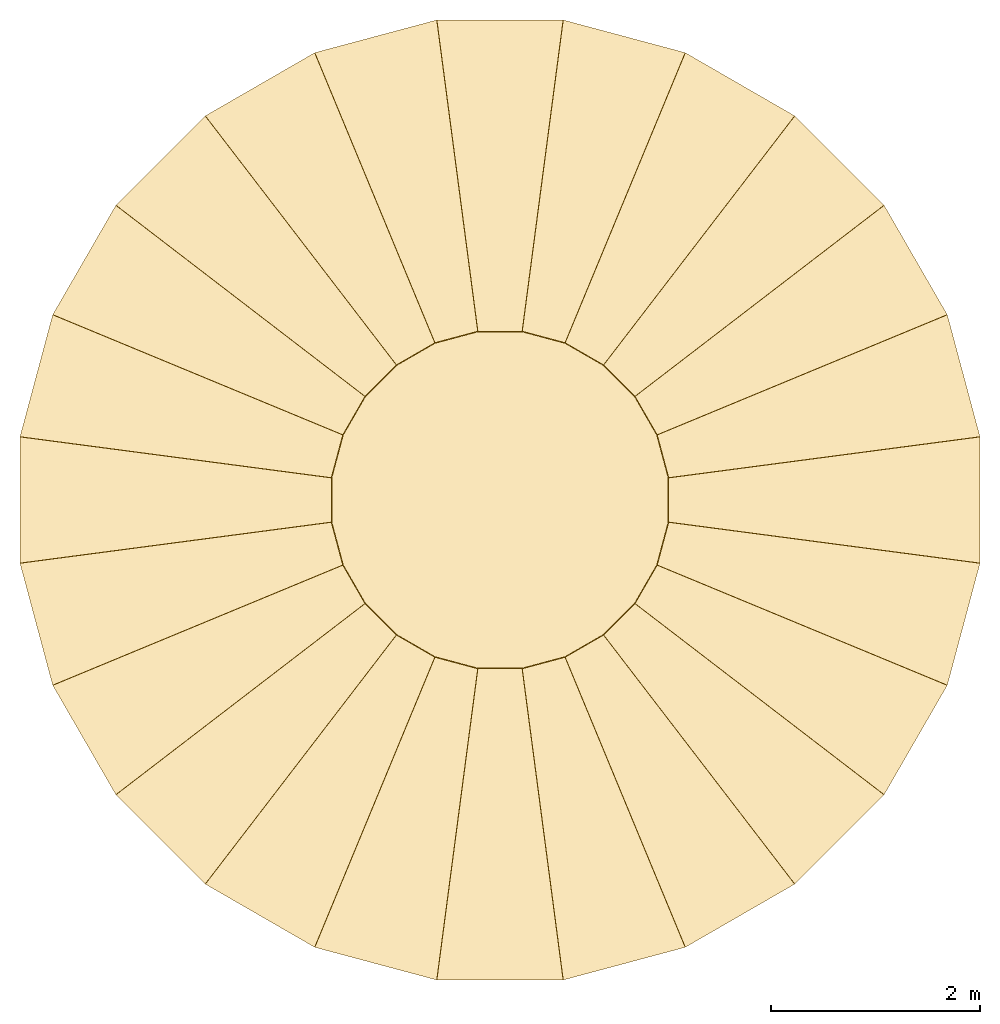
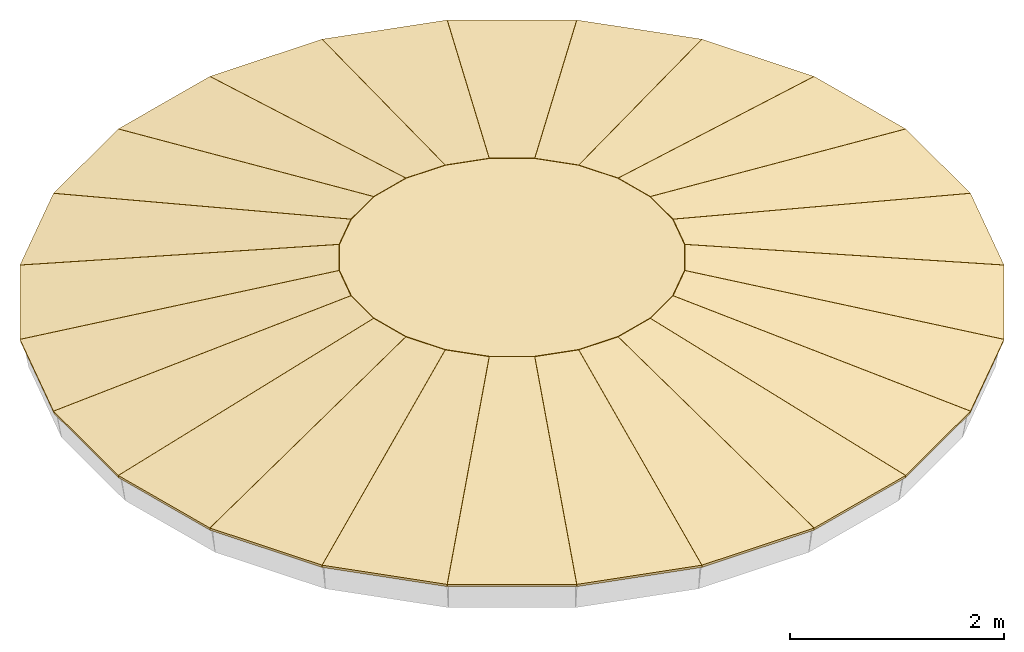
# One storey, part 2 of 2: 25 coverings.
"""IFC4 building model written with IfcOpenShell, lengths in metres."""

import ifcopenshell
import ifcopenshell.guid

model = None  # the IFC model being written
_history = None  # IfcOwnerHistory: only IFC2X3 demands one
_inside = {}  # id of a spatial element -> (the spatial element, [elements in it])
_under = {}  # id of a project, library or spatial element -> (it, [spatial elements below it])
_declared = {}  # id of a project -> (the project, [libraries it declares])
_typed = {}  # id of a type object -> (the type object, [elements of that type])
_made_of = {}  # id of a material, layer set ... -> (it, [elements and type objects made of it])


def new_model(schema):
    """Start an empty IFC model of exactly this schema.

    Asked for "IFC4X3", IfcOpenShell would pick the latest addendum, in which some entities
    have other attributes; the version numbers below select the first issue.
    IFC2X3 requires an IfcOwnerHistory on every rooted entity: one is made here for all.
    """
    global model, _history
    if schema == "IFC4X3":
        model = ifcopenshell.file(schema_version=(4, 3, 0, 0))
    else:
        model = ifcopenshell.file(schema=schema)
    _inside.clear()
    _under.clear()
    _declared.clear()
    _typed.clear()
    _made_of.clear()
    _history = None
    if model.schema == "IFC2X3":
        org = make("IfcOrganization", Name="unknown")
        user = make(
            "IfcPersonAndOrganization",
            ThePerson=make("IfcPerson", FamilyName="unknown"),
            TheOrganization=org,
        )
        app = make(
            "IfcApplication",
            ApplicationDeveloper=org,
            Version="unknown",
            ApplicationFullName="unknown",
            ApplicationIdentifier="unknown",
        )
        _history = make(
            "IfcOwnerHistory",
            OwningUser=user,
            OwningApplication=app,
            ChangeAction="ADDED",
            CreationDate=0,
        )
    return model


def make(cls, **values):
    """One entity of the class cls with the attributes given. An attribute that is None is left unset."""
    return model.create_entity(
        cls, **{name: value for name, value in values.items() if value is not None}
    )


def rooted(cls, **values):
    """An entity with a GlobalId (a new one), such as an element, a storey or a relation."""
    return make(cls, GlobalId=ifcopenshell.guid.new(), OwnerHistory=_history, **values)


def si_unit(unit_type, name, prefix=None):
    """IfcSIUnit, for example si_unit("LENGTHUNIT", "METRE", prefix="MILLI")."""
    return make("IfcSIUnit", UnitType=unit_type, Prefix=prefix, Name=name)


def assignment(units):
    """IfcUnitAssignment: the units of a project."""
    return None if units is None else make("IfcUnitAssignment", Units=units)


def point(xyz):
    """IfcCartesianPoint."""
    return None if xyz is None else make("IfcCartesianPoint", Coordinates=xyz)


def direction(xyz):
    """IfcDirection."""
    return None if xyz is None else make("IfcDirection", DirectionRatios=xyz)


def frame(location, z_axis=None, x_axis=None):
    """IfcAxis2Placement3D, a coordinate frame: its origin and axes. An axis left out is left unset."""
    return make(
        "IfcAxis2Placement3D",
        Location=point(location),
        Axis=direction(z_axis),
        RefDirection=direction(x_axis),
    )


def origin():
    """The frame at (0, 0, 0) with its axes left unset."""
    return frame((0.0, 0.0, 0.0))


def place(relative_to, where):
    """IfcLocalPlacement: puts the frame where relative to a parent placement (None: the world)."""
    return make(
        "IfcLocalPlacement", PlacementRelTo=relative_to, RelativePlacement=where
    )


def context(
    kind, dimensions, precision=None, world=None, true_north=None, identifier=None
):
    """IfcGeometricRepresentationContext, for example the 3D "Model" context."""
    return make(
        "IfcGeometricRepresentationContext",
        ContextIdentifier=identifier,
        ContextType=kind,
        CoordinateSpaceDimension=dimensions,
        Precision=precision,
        WorldCoordinateSystem=world,
        TrueNorth=true_north,
    )


def subcontext(parent, identifier, kind, view, scale=None):
    """IfcGeometricRepresentationSubContext, for example "Body" below "Model"."""
    return make(
        "IfcGeometricRepresentationSubContext",
        ContextIdentifier=identifier,
        ContextType=kind,
        ParentContext=parent,
        TargetScale=scale,
        TargetView=view,
    )


def project(units=None, contexts=None):
    """IfcProject with its units and contexts."""
    return rooted(
        "IfcProject",
        Name="project",
        RepresentationContexts=contexts,
        UnitsInContext=assignment(units),
    )


def spatial(cls, under=None, at=None, **own):
    """A site, building, storey or space (cls), placed at a placement, below another one or the project."""
    s = rooted(cls, ObjectPlacement=at, **own)
    if under is not None:
        _under.setdefault(under.id(), (under, []))[1].append(s)
    return s


def polyline(points):
    """IfcPolyline through the points."""
    return make("IfcPolyline", Points=[point(p) for p in points])


def outline(outer, holes=None, kind="AREA"):
    """IfcArbitraryClosedProfileDef: a profile drawn as a closed curve; with holes, ...WithVoids."""
    if holes is None:
        return make("IfcArbitraryClosedProfileDef", ProfileType=kind, OuterCurve=outer)
    return make(
        "IfcArbitraryProfileDefWithVoids",
        ProfileType=kind,
        OuterCurve=outer,
        InnerCurves=holes,
    )


def extrude(swept, where, along, depth):
    """IfcExtrudedAreaSolid: the profile swept, set in the frame where, extruded along a direction by depth."""
    return make(
        "IfcExtrudedAreaSolid",
        SweptArea=swept,
        Position=where,
        ExtrudedDirection=direction(along),
        Depth=depth,
    )


def shape(context_of_items, identifier, shape_type, items):
    """IfcShapeRepresentation: the items that make up one representation, for example the "Body"."""
    return make(
        "IfcShapeRepresentation",
        ContextOfItems=context_of_items,
        RepresentationIdentifier=identifier,
        RepresentationType=shape_type,
        Items=items,
    )


def material(Name=None, Category=None):
    """IfcMaterial."""
    return make("IfcMaterial", Name=Name, Category=Category)


def layer(
    of_material, thickness, ventilated=None, Name=None, Category=None, Priority=None
):
    """IfcMaterialLayer: one layer of a wall or slab, of a material (None: an air gap)."""
    return make(
        "IfcMaterialLayer",
        Material=of_material,
        LayerThickness=thickness,
        IsVentilated=ventilated,
        Name=Name,
        Category=Category,
        Priority=Priority,
    )


def layer_set(layers, Name=None):
    """IfcMaterialLayerSet."""
    return make("IfcMaterialLayerSet", MaterialLayers=layers, LayerSetName=Name)


def made_of(thing, what):
    """Note that an element or type object is made of a material, layer set ...; save() writes the relation."""
    if what is not None:
        _made_of.setdefault(what.id(), (what, []))[1].append(thing)
    return thing


def type_object(cls, material=None, **own):
    """A type object (cls), such as IfcWallType, which elements share."""
    return made_of(rooted(cls, **own), material)


def element(
    cls,
    number,
    at=None,
    inside=None,
    cuts=None,
    type_object=None,
    material=None,
    context=None,
    identifier="Body",
    shape_type=None,
    held_by="IfcProductDefinitionShape",
    body=None,
    shapes=None,
    **own,
):
    """One element of the class cls, such as IfcWall. Its Tag is "e" and its number.

    at: its placement. inside: the storey or other place that contains it. cuts: it is an
    opening in that element (IfcRelVoidsElement). A single representation is given by context,
    identifier, shape_type and body (its items); several are given by shapes. held_by: the class
    of the entity that holds the representations. save() writes the other relations.
    """
    e = rooted(cls, Tag="e%d" % number, ObjectPlacement=at, **own)
    if body is not None:
        shapes = [shape(context, identifier, shape_type, body)]
    if shapes is not None:
        e.Representation = make(held_by, Representations=shapes)
    if inside is not None:
        _inside.setdefault(inside.id(), (inside, []))[1].append(e)
    if cuts is not None:
        rooted(
            "IfcRelVoidsElement", RelatingBuildingElement=cuts, RelatedOpeningElement=e
        )
    if type_object is not None:
        _typed.setdefault(type_object.id(), (type_object, []))[1].append(e)
    return made_of(e, material)


def aggregate(whole, parts):
    """IfcRelAggregates: a whole, such as a stair, and the parts it consists of."""
    return rooted("IfcRelAggregates", RelatingObject=whole, RelatedObjects=parts)


def save(model, path):
    """Write the relations noted so far, then the file.

    IfcRelAggregates (storeys below a building ...), IfcRelContainedInSpatialStructure (elements
    in a storey), IfcRelDefinesByType, IfcRelAssociatesMaterial and IfcRelDeclares: one each for
    every whole, place, type object, material and project.
    """
    for whole, parts in _under.values():
        aggregate(whole, parts)
    for where, things in _inside.values():
        rooted(
            "IfcRelContainedInSpatialStructure",
            RelatedElements=things,
            RelatingStructure=where,
        )
    for kind, things in _typed.values():
        rooted("IfcRelDefinesByType", RelatedObjects=things, RelatingType=kind)
    for what, things in _made_of.values():
        rooted("IfcRelAssociatesMaterial", RelatedObjects=things, RelatingMaterial=what)
    for by, libraries in _declared.values():
        rooted("IfcRelDeclares", RelatingContext=by, RelatedDefinitions=libraries)
    model.write(path)


model = new_model("IFC4")

# Units and contexts
model_context = context("Model", 3, precision=1e-05, world=origin(), true_north=direction((0.0, 1.0)))
body_context = subcontext(model_context, "Body", "Model", "MODEL_VIEW")
ifc_project = project(units=[si_unit("LENGTHUNIT", "METRE"), si_unit("AREAUNIT", "SQUARE_METRE"), si_unit("VOLUMEUNIT", "CUBIC_METRE"), si_unit("PLANEANGLEUNIT", "RADIAN"), si_unit("MASSUNIT", "GRAM", prefix="KILO")], contexts=[model_context])

# Site, building, storey
site_placement = place(None, origin())
site = spatial("IfcSite", under=ifc_project, at=site_placement, CompositionType="ELEMENT")
building_placement = place(site_placement, origin())
building = spatial("IfcBuilding", under=site, at=building_placement, Name="Golden Quay Civic Hall", CompositionType="ELEMENT")
storey_placement = place(building_placement, frame((0.0, 0.0, 35.199951171875)))
storey = spatial("IfcBuildingStorey", under=building, at=storey_placement, Name="Roof Crown", CompositionType="ELEMENT", Elevation=35.199951171875)

# Coverings
ifc_material = material(Name="Ceramic tile")
ifc_layer = layer(ifc_material, 0.030029296875)
ifc_layer_set = layer_set([ifc_layer], Name="Ceramic tile roofing, green glaze")
covering_type = type_object("IfcCoveringType", Name="Ceramic tile roofing, green glaze", PredefinedType="ROOFING", material=ifc_layer_set)
covering_1_placement = place(storey_placement, frame((90.10009765625, 86.106201171875, 1.048095703125), z_axis=(0.163079711065, 0.04370142868, 0.985644557115), x_axis=(-0.258879576146, 0.96590960499, 6.469639e-06)))
element("IfcCovering", 1, at=covering_1_placement, inside=storey, type_object=covering_type, Name="Dome tile roofing 6.1", PredefinedType="ROOFING", context=body_context, shape_type="SweptSolid", body=[
    extrude(outline(polyline([(0.0, 0.0), (1.2099491638877238, 5.551115123125783e-17), (0.817465447533586, 3.0265352261660423), (0.39285022642775447, 3.0265978620222724), (0.0, 0.0)])), origin(), (0.0, 0.0, -1.0), 0.030029296875),
])
covering_2_placement = place(storey_placement, frame((89.786376953125, 87.276123046875, 1.048095703125), z_axis=(0.146216134385, 0.084420459166, 0.985643966207), x_axis=(-0.500002179946, 0.866024145187, -1.795831e-06)))
element("IfcCovering", 2, at=covering_2_placement, inside=storey, type_object=covering_type, Name="Dome tile roofing 6.2", PredefinedType="ROOFING", context=body_context, shape_type="SweptSolid", body=[
    extrude(outline(polyline([(0.0, 0.0), (1.209956306896163, 0.0), (0.8170701724526974, 3.026513401288875), (0.3927859359100291, 3.0264960187379377), (0.0, 0.0)])), origin(), (0.0, 0.0, -1.0), 0.030029296875),
])
covering_3_placement = place(storey_placement, frame((89.1806640625, 88.3251953125, 1.048095703125), z_axis=(0.119383901578, 0.119383901578, 0.985644443036), x_axis=(-0.707106781187, 0.707106781187, 0.0)))
element("IfcCovering", 3, at=covering_3_placement, inside=storey, type_object=covering_type, Name="Dome tile roofing 6.3", PredefinedType="ROOFING", context=body_context, shape_type="SweptSolid", body=[
    extrude(outline(polyline([(0.0, 0.0), (1.2098155084363587, 0.0), (0.8172469487639444, 3.0265546102425893), (0.39256855967241444, 3.0265546102425893), (0.0, 0.0)])), origin(), (0.0, 0.0, -1.0), 0.030029296875),
])
covering_4_placement = place(storey_placement, frame((88.323974609375, 89.181396484375, 1.048095703125), z_axis=(0.084420459166, 0.146216134385, 0.985643966207), x_axis=(-0.866024145187, 0.500002179946, 1.795831e-06)))
element("IfcCovering", 4, at=covering_4_placement, inside=storey, type_object=covering_type, Name="Dome tile roofing 6.4", PredefinedType="ROOFING", context=body_context, shape_type="SweptSolid", body=[
    extrude(outline(polyline([(0.0, 0.0), (1.209956306896163, 0.0), (0.8171703709861338, 3.026496018737938), (0.3928861344434653, 3.026513401288875), (0.0, 0.0)])), origin(), (0.0, 0.0, -1.0), 0.030029296875),
])
covering_5_placement = place(storey_placement, frame((87.27490234375, 89.786865234375, 1.048095703125), z_axis=(0.04370142868, 0.163079711065, 0.985644557115), x_axis=(-0.96590960499, 0.258879576146, -6.469639e-06)))
element("IfcCovering", 5, at=covering_5_placement, inside=storey, type_object=covering_type, Name="Dome tile roofing 6.5", PredefinedType="ROOFING", context=body_context, shape_type="SweptSolid", body=[
    extrude(outline(polyline([(0.0, 0.0), (1.2099491638877238, -5.551115123125783e-17), (0.8170989374599691, 3.026597862022273), (0.39248371635413787, 3.0265352261660428), (0.0, 0.0)])), origin(), (0.0, 0.0, -1.0), 0.030029296875),
])
covering_6_placement = place(storey_placement, frame((86.10498046875, 90.10009765625, 1.048095703125), z_axis=(0.0, 0.168845141912, 0.985642591436), x_axis=(-1.0, 0.0, 0.0)))
element("IfcCovering", 6, at=covering_6_placement, inside=storey, type_object=covering_type, Name="Dome tile roofing 6.6", PredefinedType="ROOFING", context=body_context, shape_type="SweptSolid", body=[
    extrude(outline(polyline([(0.0, 0.0), (1.2099609375, 0.0), (0.817138671875, 3.026360855514436), (0.392822265625, 3.026360855514436), (0.0, 0.0)])), origin(), (0.0, 0.0, -1.0), 0.030029296875),
])
covering_7_placement = place(storey_placement, frame((84.893798828125, 90.10009765625, 1.048095703125), z_axis=(-0.04370142868, 0.163079711065, 0.985644557115), x_axis=(-0.96590960499, -0.258879576146, 6.469639e-06)))
element("IfcCovering", 7, at=covering_7_placement, inside=storey, type_object=covering_type, Name="Dome tile roofing 6.7", PredefinedType="ROOFING", context=body_context, shape_type="SweptSolid", body=[
    extrude(outline(polyline([(0.0, 0.0), (1.2099491638877238, 5.551115123125783e-17), (0.817465447533586, 3.0265352261660423), (0.39285022642775447, 3.0265978620222724), (0.0, 0.0)])), origin(), (0.0, 0.0, -1.0), 0.030029296875),
])
covering_8_placement = place(storey_placement, frame((83.723876953125, 89.786376953125, 1.048095703125), z_axis=(-0.084420459166, 0.146216134385, 0.985643966207), x_axis=(-0.866024145187, -0.500002179946, -1.795831e-06)))
element("IfcCovering", 8, at=covering_8_placement, inside=storey, type_object=covering_type, Name="Dome tile roofing 6.8", PredefinedType="ROOFING", context=body_context, shape_type="SweptSolid", body=[
    extrude(outline(polyline([(0.0, 0.0), (1.209956306896163, 0.0), (0.8170701724526974, 3.026513401288875), (0.3927859359100291, 3.0264960187379377), (0.0, 0.0)])), origin(), (0.0, 0.0, -1.0), 0.030029296875),
])
covering_9_placement = place(storey_placement, frame((82.6748046875, 89.1806640625, 1.048095703125), z_axis=(-0.119383901578, 0.119383901578, 0.985644443036), x_axis=(-0.707106781187, -0.707106781187, 0.0)))
element("IfcCovering", 9, at=covering_9_placement, inside=storey, type_object=covering_type, Name="Dome tile roofing 6.9", PredefinedType="ROOFING", context=body_context, shape_type="SweptSolid", body=[
    extrude(outline(polyline([(0.0, 0.0), (1.2098155084363587, 0.0), (0.8172469487639444, 3.0265546102425893), (0.39256855967241444, 3.0265546102425893), (0.0, 0.0)])), origin(), (0.0, 0.0, -1.0), 0.030029296875),
])
covering_10_placement = place(storey_placement, frame((81.818603515625, 88.323974609375, 1.048095703125), z_axis=(-0.146216134385, 0.084420459166, 0.985643966207), x_axis=(-0.500002179946, -0.866024145187, 1.795831e-06)))
element("IfcCovering", 10, at=covering_10_placement, inside=storey, type_object=covering_type, Name="Dome tile roofing 6.10", PredefinedType="ROOFING", context=body_context, shape_type="SweptSolid", body=[
    extrude(outline(polyline([(0.0, 0.0), (1.209956306896163, 0.0), (0.8171703709861338, 3.026496018737938), (0.3928861344434653, 3.026513401288875), (0.0, 0.0)])), origin(), (0.0, 0.0, -1.0), 0.030029296875),
])
covering_11_placement = place(storey_placement, frame((81.213134765625, 87.27490234375, 1.048095703125), z_axis=(-0.163079711065, 0.04370142868, 0.985644557115), x_axis=(-0.258879576146, -0.96590960499, -6.469639e-06)))
element("IfcCovering", 11, at=covering_11_placement, inside=storey, type_object=covering_type, Name="Dome tile roofing 6.11", PredefinedType="ROOFING", context=body_context, shape_type="SweptSolid", body=[
    extrude(outline(polyline([(0.0, 0.0), (1.2099491638877238, -5.551115123125783e-17), (0.8170989374599691, 3.026597862022273), (0.39248371635413787, 3.0265352261660428), (0.0, 0.0)])), origin(), (0.0, 0.0, -1.0), 0.030029296875),
])
covering_12_placement = place(storey_placement, frame((80.89990234375, 86.10498046875, 1.048095703125), z_axis=(-0.168845141912, 0.0, 0.985642591436), x_axis=(0.0, -1.0, 0.0)))
element("IfcCovering", 12, at=covering_12_placement, inside=storey, type_object=covering_type, Name="Dome tile roofing 6.12", PredefinedType="ROOFING", context=body_context, shape_type="SweptSolid", body=[
    extrude(outline(polyline([(0.0, 0.0), (1.2099609375, 0.0), (0.817138671875, 3.026360855514436), (0.392822265625, 3.026360855514436), (0.0, 0.0)])), origin(), (0.0, 0.0, -1.0), 0.030029296875),
])
covering_13_placement = place(storey_placement, frame((80.89990234375, 84.893798828125, 1.048095703125), z_axis=(-0.163079711065, -0.04370142868, 0.985644557115), x_axis=(0.258879576146, -0.96590960499, 6.469639e-06)))
element("IfcCovering", 13, at=covering_13_placement, inside=storey, type_object=covering_type, Name="Dome tile roofing 6.13", PredefinedType="ROOFING", context=body_context, shape_type="SweptSolid", body=[
    extrude(outline(polyline([(0.0, 0.0), (1.2099491638877238, 5.551115123125783e-17), (0.817465447533586, 3.0265352261660423), (0.39285022642775447, 3.0265978620222724), (0.0, 0.0)])), origin(), (0.0, 0.0, -1.0), 0.030029296875),
])
covering_14_placement = place(storey_placement, frame((81.213623046875, 83.723876953125, 1.048095703125), z_axis=(-0.146216134385, -0.084420459166, 0.985643966207), x_axis=(0.500002179946, -0.866024145187, -1.795831e-06)))
element("IfcCovering", 14, at=covering_14_placement, inside=storey, type_object=covering_type, Name="Dome tile roofing 6.14", PredefinedType="ROOFING", context=body_context, shape_type="SweptSolid", body=[
    extrude(outline(polyline([(0.0, 0.0), (1.209956306896163, 0.0), (0.8170701724526974, 3.026513401288875), (0.3927859359100291, 3.0264960187379377), (0.0, 0.0)])), origin(), (0.0, 0.0, -1.0), 0.030029296875),
])
covering_15_placement = place(storey_placement, frame((81.8193359375, 82.6748046875, 1.048095703125), z_axis=(-0.119383901578, -0.119383901578, 0.985644443036), x_axis=(0.707106781187, -0.707106781187, 0.0)))
element("IfcCovering", 15, at=covering_15_placement, inside=storey, type_object=covering_type, Name="Dome tile roofing 6.15", PredefinedType="ROOFING", context=body_context, shape_type="SweptSolid", body=[
    extrude(outline(polyline([(0.0, 0.0), (1.2098155084363587, 0.0), (0.8172469487639444, 3.0265546102425893), (0.39256855967241444, 3.0265546102425893), (0.0, 0.0)])), origin(), (0.0, 0.0, -1.0), 0.030029296875),
])
covering_16_placement = place(storey_placement, frame((82.676025390625, 81.818603515625, 1.048095703125), z_axis=(-0.084420459166, -0.146216134385, 0.985643966207), x_axis=(0.866024145187, -0.500002179946, 1.795831e-06)))
element("IfcCovering", 16, at=covering_16_placement, inside=storey, type_object=covering_type, Name="Dome tile roofing 6.16", PredefinedType="ROOFING", context=body_context, shape_type="SweptSolid", body=[
    extrude(outline(polyline([(0.0, 0.0), (1.209956306896163, 0.0), (0.8171703709861338, 3.026496018737938), (0.3928861344434653, 3.026513401288875), (0.0, 0.0)])), origin(), (0.0, 0.0, -1.0), 0.030029296875),
])
covering_17_placement = place(storey_placement, frame((83.72509765625, 81.213134765625, 1.048095703125), z_axis=(-0.04370142868, -0.163079711065, 0.985644557115), x_axis=(0.96590960499, -0.258879576146, -6.469639e-06)))
element("IfcCovering", 17, at=covering_17_placement, inside=storey, type_object=covering_type, Name="Dome tile roofing 6.17", PredefinedType="ROOFING", context=body_context, shape_type="SweptSolid", body=[
    extrude(outline(polyline([(0.0, 0.0), (1.2099491638877238, -5.551115123125783e-17), (0.8170989374599691, 3.026597862022273), (0.39248371635413787, 3.0265352261660428), (0.0, 0.0)])), origin(), (0.0, 0.0, -1.0), 0.030029296875),
])
covering_18_placement = place(storey_placement, frame((84.89501953125, 80.89990234375, 1.048095703125), z_axis=(0.0, -0.168845141912, 0.985642591436), x_axis=(1.0, 0.0, 0.0)))
element("IfcCovering", 18, at=covering_18_placement, inside=storey, type_object=covering_type, Name="Dome tile roofing 6.18", PredefinedType="ROOFING", context=body_context, shape_type="SweptSolid", body=[
    extrude(outline(polyline([(0.0, 0.0), (1.2099609375, 0.0), (0.817138671875, 3.026360855514436), (0.392822265625, 3.026360855514436), (0.0, 0.0)])), origin(), (0.0, 0.0, -1.0), 0.030029296875),
])
covering_19_placement = place(storey_placement, frame((86.106201171875, 80.89990234375, 1.048095703125), z_axis=(0.04370142868, -0.163079711065, 0.985644557115), x_axis=(0.96590960499, 0.258879576146, 6.469639e-06)))
element("IfcCovering", 19, at=covering_19_placement, inside=storey, type_object=covering_type, Name="Dome tile roofing 6.19", PredefinedType="ROOFING", context=body_context, shape_type="SweptSolid", body=[
    extrude(outline(polyline([(0.0, 0.0), (1.2099491638877238, 5.551115123125783e-17), (0.817465447533586, 3.0265352261660423), (0.39285022642775447, 3.0265978620222724), (0.0, 0.0)])), origin(), (0.0, 0.0, -1.0), 0.030029296875),
])
covering_20_placement = place(storey_placement, frame((87.276123046875, 81.213623046875, 1.048095703125), z_axis=(0.084420459166, -0.146216134385, 0.985643966207), x_axis=(0.866024145187, 0.500002179946, -1.795831e-06)))
element("IfcCovering", 20, at=covering_20_placement, inside=storey, type_object=covering_type, Name="Dome tile roofing 6.20", PredefinedType="ROOFING", context=body_context, shape_type="SweptSolid", body=[
    extrude(outline(polyline([(0.0, 0.0), (1.209956306896163, 0.0), (0.8170701724526974, 3.026513401288875), (0.3927859359100291, 3.0264960187379377), (0.0, 0.0)])), origin(), (0.0, 0.0, -1.0), 0.030029296875),
])
covering_21_placement = place(storey_placement, frame((88.3251953125, 81.8193359375, 1.048095703125), z_axis=(0.119383901578, -0.119383901578, 0.985644443036), x_axis=(0.707106781187, 0.707106781187, 0.0)))
element("IfcCovering", 21, at=covering_21_placement, inside=storey, type_object=covering_type, Name="Dome tile roofing 6.21", PredefinedType="ROOFING", context=body_context, shape_type="SweptSolid", body=[
    extrude(outline(polyline([(0.0, 0.0), (1.2098155084363587, 0.0), (0.8172469487639444, 3.0265546102425893), (0.39256855967241444, 3.0265546102425893), (0.0, 0.0)])), origin(), (0.0, 0.0, -1.0), 0.030029296875),
])
covering_22_placement = place(storey_placement, frame((89.181396484375, 82.676025390625, 1.048095703125), z_axis=(0.146216134385, -0.084420459166, 0.985643966207), x_axis=(0.500002179946, 0.866024145187, 1.795831e-06)))
element("IfcCovering", 22, at=covering_22_placement, inside=storey, type_object=covering_type, Name="Dome tile roofing 6.22", PredefinedType="ROOFING", context=body_context, shape_type="SweptSolid", body=[
    extrude(outline(polyline([(0.0, 0.0), (1.209956306896163, 0.0), (0.8171703709861338, 3.026496018737938), (0.3928861344434653, 3.026513401288875), (0.0, 0.0)])), origin(), (0.0, 0.0, -1.0), 0.030029296875),
])
covering_23_placement = place(storey_placement, frame((89.786865234375, 83.72509765625, 1.048095703125), z_axis=(0.163079711065, -0.04370142868, 0.985644557115), x_axis=(0.258879576146, 0.96590960499, -6.469639e-06)))
element("IfcCovering", 23, at=covering_23_placement, inside=storey, type_object=covering_type, Name="Dome tile roofing 6.23", PredefinedType="ROOFING", context=body_context, shape_type="SweptSolid", body=[
    extrude(outline(polyline([(0.0, 0.0), (1.2099491638877238, -5.551115123125783e-17), (0.8170989374599691, 3.026597862022273), (0.39248371635413787, 3.0265352261660428), (0.0, 0.0)])), origin(), (0.0, 0.0, -1.0), 0.030029296875),
])
covering_24_placement = place(storey_placement, frame((90.10009765625, 84.89501953125, 1.048095703125), z_axis=(0.168845141912, 0.0, 0.985642591436), x_axis=(0.0, 1.0, 0.0)))
element("IfcCovering", 24, at=covering_24_placement, inside=storey, type_object=covering_type, Name="Dome tile roofing 6.24", PredefinedType="ROOFING", context=body_context, shape_type="SweptSolid", body=[
    extrude(outline(polyline([(0.0, 0.0), (1.2099609375, 0.0), (0.817138671875, 3.026360855514436), (0.392822265625, 3.026360855514436), (0.0, 0.0)])), origin(), (0.0, 0.0, -1.0), 0.030029296875),
])
covering_25_placement = place(storey_placement, frame((0.0, 0.0, 1.529541015625)))
element("IfcCovering", 25, at=covering_25_placement, inside=storey, type_object=covering_type, Name="Dome crown tile roofing", PredefinedType="ROOFING", context=body_context, shape_type="SweptSolid", body=[
    extrude(outline(polyline([(87.112060546875, 85.712158203125), (87.002197265625, 86.122314453125), (86.7900390625, 86.48974609375), (86.48974609375, 86.7900390625), (86.122314453125, 87.002197265625), (85.712158203125, 87.112060546875), (85.287841796875, 87.112060546875), (84.877685546875, 87.002197265625), (84.51025390625, 86.7900390625), (84.2099609375, 86.48974609375), (83.997802734375, 86.122314453125), (83.887939453125, 85.712158203125), (83.887939453125, 85.287841796875), (83.997802734375, 84.877685546875), (84.2099609375, 84.51025390625), (84.51025390625, 84.2099609375), (84.877685546875, 83.997802734375), (85.287841796875, 83.887939453125), (85.712158203125, 83.887939453125), (86.122314453125, 83.997802734375), (86.48974609375, 84.2099609375), (86.7900390625, 84.51025390625), (87.002197265625, 84.877685546875), (87.112060546875, 85.287841796875), (87.112060546875, 85.712158203125)])), origin(), (0.0, 0.0, 1.0), 0.030029296875),
])

save(model, "model.ifc")
